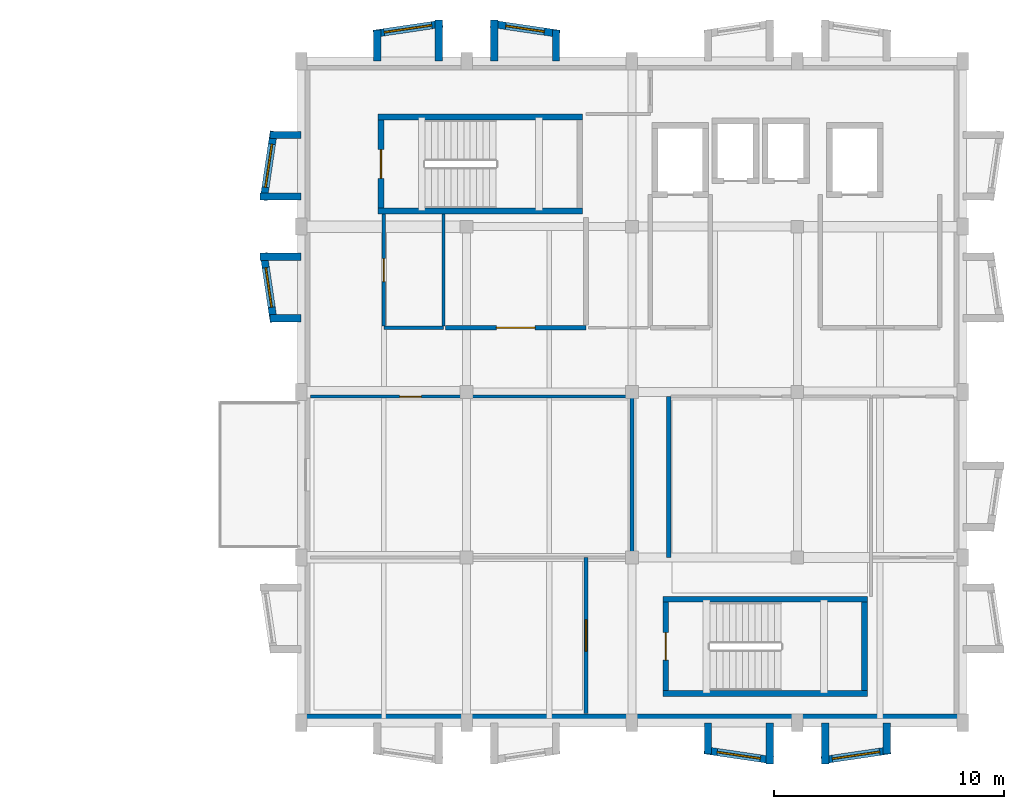
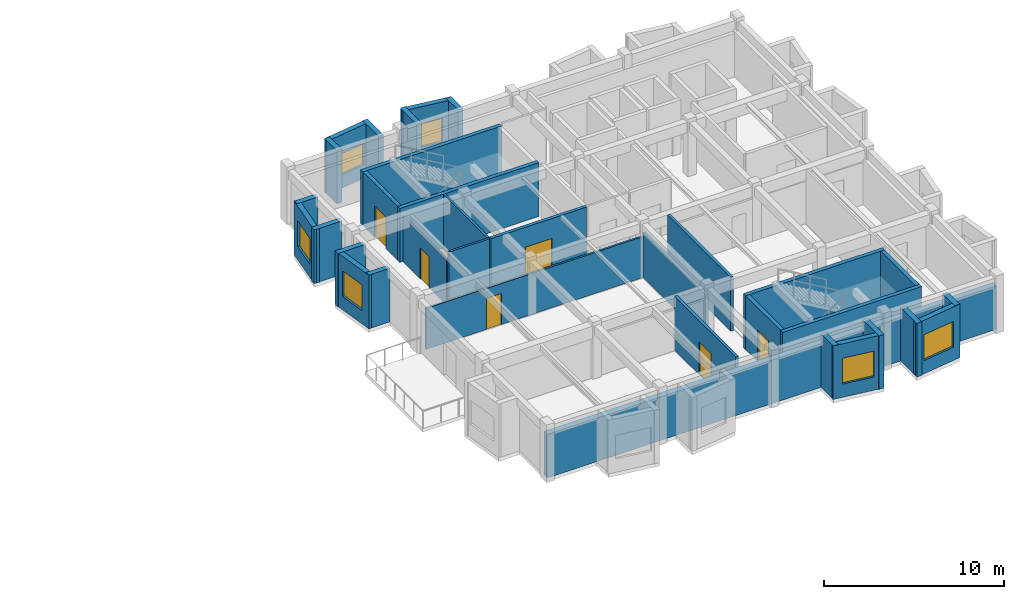
# One storey, part 3 of 7: 34 walls, 6 doors, 6 windows, 12 openings.
"""IFC4 building model written with IfcOpenShell, lengths in metres."""

from ifc_helpers import new_model, si_unit, direction, frame, frame_2d, origin, place, context, subcontext, project, spatial, rectangle, extrude, material, layer, layer_set, type_object, element, fill, save


model = new_model("IFC4")

# Units and contexts
model_context = context("Model", 3, precision=1e-05, world=origin(), true_north=direction((0.0, 1.0)))
body_context = subcontext(model_context, "Body", "Model", "MODEL_VIEW")
ifc_project = project(units=[si_unit("LENGTHUNIT", "METRE"), si_unit("AREAUNIT", "SQUARE_METRE"), si_unit("VOLUMEUNIT", "CUBIC_METRE"), si_unit("PLANEANGLEUNIT", "RADIAN"), si_unit("MASSUNIT", "GRAM", prefix="KILO")], contexts=[model_context])

# Site, building, storey
site_placement = place(None, origin())
site = spatial("IfcSite", under=ifc_project, at=site_placement, CompositionType="ELEMENT")
building_placement = place(site_placement, origin())
building = spatial("IfcBuilding", under=site, at=building_placement, Name="Bramveld Media Centre", CompositionType="ELEMENT")
storey_placement = place(building_placement, frame((0.0, 0.0, 25.800048828125)))
storey = spatial("IfcBuildingStorey", under=building, at=storey_placement, Name="L06", CompositionType="ELEMENT", Elevation=25.800048828125)

# Walls
ifc_material_1 = material(Name="Concrete C40/50 stair & lift core wall", Category="concrete")
ifc_layer_1 = layer(ifc_material_1, 0.25)
ifc_layer_set_1 = layer_set([ifc_layer_1], Name="Concrete C40/50 stair & lift core wall")
wall_type_1 = type_object("IfcWallType", Name="CWALL-SHEAR-250", PredefinedType="SHEAR", material=ifc_layer_set_1)
for number, where, z_axis, x_axis, name in (
    (1, (134.550048828125, 105.47509765625, 0.0), (0.0, 0.0, 1.0), (1.0, 0.0, 0.0), "ST-01 L06 stair core shear wall S"),
    (2, (143.449951171875, 109.574951171875, 0.0), (0.0, 0.0, 1.0), (-1.0, 0.0, 0.0), "ST-01 L06 stair core shear wall N"),
):
    element("IfcWall", number, at=place(storey_placement, frame(where, z_axis=z_axis, x_axis=x_axis)), inside=storey, type_object=wall_type_1, Name=name, PredefinedType="SHEAR", context=body_context, shape_type="SweptSolid", body=[
        extrude(rectangle(XDim=8.89990234375, YDim=0.25, at=frame_2d((4.449951171875, 0.0))), origin(), (0.0, 0.0, 1.0), 3.64990234375),
    ])

# Wall, opening, door
wall_1_placement = place(storey_placement, frame((134.675048828125, 109.449951171875, 0.0), z_axis=(0.0, 0.0, 1.0), x_axis=(0.0, -1.0, 0.0)))
wall_1 = element("IfcWall", 3, at=wall_1_placement, inside=storey, type_object=wall_type_1, Name="ST-01 L06 stair core shear wall W", PredefinedType="SHEAR", context=body_context, shape_type="SweptSolid", body=[
    extrude(rectangle(XDim=3.849853515625, YDim=0.25, at=frame_2d((1.9248046875, 0.0))), origin(), (0.0, 0.0, 1.0), 3.64990234375),
])
opening_1_placement = place(wall_1_placement, frame((1.300048828125, 0.0, 0.0)))
opening_1 = element("IfcOpeningElement", 4, at=opening_1_placement, cuts=wall_1, Name="Opening SD-01-L06", PredefinedType="OPENING", context=body_context, shape_type="SweptSolid", body=[
    extrude(rectangle(XDim=1.25, YDim=2.14990234375, at=frame_2d((0.625, 1.074951171875))), frame((0.0, 0.136962890625, 0.0), z_axis=(0.0, -1.0, 0.0), x_axis=(1.0, 0.0, 0.0)), (0.0, 0.0, 1.0), 0.27392578125),
])
ifc_material_2 = material(Name="Painted galvanized steel acoustic fire door with intumescent smoke seals", Category="steel")
door_type_1 = type_object("IfcDoorType", Name="DR-ST-1250", OperationType="NOTDEFINED", PredefinedType="DOOR", material=ifc_material_2)
door_1_placement = place(opening_1_placement, origin())
door_1 = element("IfcDoor", 5, at=door_1_placement, inside=storey, type_object=door_type_1, Name="ST-01 L06 pressurized stair fire door", OperationType="SINGLE_SWING_LEFT", OverallHeight=2.14990234375, OverallWidth=1.25, PredefinedType="DOOR", context=body_context, shape_type="SweptSolid", body=[
    extrude(rectangle(XDim=1.25, YDim=2.14990234375, at=frame_2d((0.625, 1.074951171875))), frame((0.0, 0.02490234375, 0.0), z_axis=(0.0, -1.0, 0.0), x_axis=(1.0, 0.0, 0.0)), (0.0, 0.0, 1.0), 0.050048828125),
])
fill(opening_1, door_1)

# Walls
for number, where, z_axis, x_axis, name in (
    (6, (146.949951171875, 84.47509765625, 0.0), (0.0, 0.0, 1.0), (1.0, 0.0, 0.0), "ST-02 L06 stair core shear wall S"),
    (7, (155.85009765625, 88.574951171875, 0.0), (0.0, 0.0, 1.0), (-1.0, 0.0, 0.0), "ST-02 L06 stair core shear wall N"),
):
    element("IfcWall", number, at=place(storey_placement, frame(where, z_axis=z_axis, x_axis=x_axis)), inside=storey, type_object=wall_type_1, Name=name, PredefinedType="SHEAR", context=body_context, shape_type="SweptSolid", body=[
        extrude(rectangle(XDim=8.900146484375, YDim=0.25, at=frame_2d((4.4501953125, 0.0))), origin(), (0.0, 0.0, 1.0), 3.64990234375),
    ])

# Wall, opening, door
wall_2_placement = place(storey_placement, frame((147.074951171875, 88.449951171875, 0.0), z_axis=(0.0, 0.0, 1.0), x_axis=(0.0, -1.0, 0.0)))
wall_2 = element("IfcWall", 8, at=wall_2_placement, inside=storey, type_object=wall_type_1, Name="ST-02 L06 stair core shear wall W", PredefinedType="SHEAR", context=body_context, shape_type="SweptSolid", body=[
    extrude(rectangle(XDim=3.849853515625, YDim=0.25, at=frame_2d((1.9248046875, 0.0))), origin(), (0.0, 0.0, 1.0), 3.64990234375),
])
opening_2_placement = place(wall_2_placement, frame((1.324951171875, 0.0, 0.0)))
opening_2 = element("IfcOpeningElement", 9, at=opening_2_placement, cuts=wall_2, Name="Opening SD-02-L06", PredefinedType="OPENING", context=body_context, shape_type="SweptSolid", body=[
    extrude(rectangle(XDim=1.199951171875, YDim=2.14990234375, at=frame_2d((0.60009765625, 1.074951171875))), frame((0.0, 0.136962890625, 0.0), z_axis=(0.0, -1.0, 0.0), x_axis=(1.0, 0.0, 0.0)), (0.0, 0.0, 1.0), 0.27392578125),
])
ifc_material_3 = material(Name="Painted galvanized steel acoustic fire door with intumescent smoke seals", Category="steel")
door_type_2 = type_object("IfcDoorType", Name="DR-ST-1200", OperationType="NOTDEFINED", PredefinedType="DOOR", material=ifc_material_3)
door_2_placement = place(opening_2_placement, origin())
door_2 = element("IfcDoor", 10, at=door_2_placement, inside=storey, type_object=door_type_2, Name="ST-02 L06 pressurized stair fire door", OperationType="SINGLE_SWING_LEFT", OverallHeight=2.14990234375, OverallWidth=1.199951171875, PredefinedType="DOOR", context=body_context, shape_type="SweptSolid", body=[
    extrude(rectangle(XDim=1.199951171875, YDim=2.14990234375, at=frame_2d((0.60009765625, 1.074951171875))), frame((0.0, 0.02490234375, 0.0), z_axis=(0.0, -1.0, 0.0), x_axis=(1.0, 0.0, 0.0)), (0.0, 0.0, 1.0), 0.050048828125),
])
fill(opening_2, door_2)

# Walls
wall_3_placement = place(storey_placement, frame((155.72509765625, 84.60009765625, 0.0), z_axis=(0.0, 0.0, 1.0), x_axis=(0.0, 1.0, 0.0)))
element("IfcWall", 11, at=wall_3_placement, inside=storey, type_object=wall_type_1, Name="ST-02 L06 stair core shear wall E", PredefinedType="SHEAR", context=body_context, shape_type="SweptSolid", body=[
    extrude(rectangle(XDim=3.849853515625, YDim=0.25, at=frame_2d((1.9248046875, 0.0))), origin(), (0.0, 0.0, 1.0), 3.64990234375),
])
ifc_material_4 = material(Name="Flemish red-brown clay facing brick cavity wall with calcium-silicate backing", Category="masonry")
ifc_layer_2 = layer(ifc_material_4, 0.3798828125)
ifc_layer_set_2 = layer_set([ifc_layer_2], Name="Flemish red-brown clay facing brick cavity wall with calcium-silicate backing")
wall_type_2 = type_object("IfcWallType", Name="EW-BRK-380", PredefinedType="SOLIDWALL", material=ifc_layer_set_2)
wall_4_placement = place(storey_placement, frame((160.0, 83.389892578125, 0.0), z_axis=(0.0, 0.0, 1.0), x_axis=(-1.0, 0.0, 0.0)))
element("IfcWall", 12, at=wall_4_placement, inside=storey, type_object=wall_type_2, Name="V7 L06 S facing brick exterior wall", PredefinedType="SOLIDWALL", context=body_context, shape_type="SweptSolid", body=[
    extrude(rectangle(XDim=28.800048828125, YDim=0.3798828125, at=frame_2d((14.39990234375, 0.0))), origin(), (0.0, 0.0, 1.0), 2.945068359375),
])

# Wall, opening, window
ifc_material_5 = material(Name="Precast concrete C40/50 & brick-slip faceted bay cheek wall", Category="masonry")
ifc_layer_3 = layer(ifc_material_5, 0.320068359375)
ifc_layer_set_3 = layer_set([ifc_layer_3], Name="Precast concrete C40/50 & brick-slip faceted bay cheek wall")
wall_type_3 = type_object("IfcWallType", Name="EW-FACET-320", PredefinedType="SOLIDWALL", material=ifc_layer_set_3)
wall_5_placement = place(storey_placement, frame((148.75, 82.010009765625, 0.0), z_axis=(0.0, 0.0, 1.0), x_axis=(0.989266910268, -0.146119746268, 0.0)))
wall_5 = element("IfcWall", 13, at=wall_5_placement, inside=storey, type_object=wall_type_3, Name="V7 L06 S angled faceted bay front wall 3", PredefinedType="SOLIDWALL", context=body_context, shape_type="SweptSolid", body=[
    extrude(rectangle(XDim=3.032470703125, YDim=0.320068359375, at=frame_2d((1.51611328125, 0.0))), origin(), (0.0, 0.0, 1.0), 3.6298828125),
])
opening_3_placement = place(wall_5_placement, frame((0.56640625, 0.0, 0.89990234375)))
opening_3 = element("IfcOpeningElement", 14, at=opening_3_placement, cuts=wall_5, Name="Opening W-34", PredefinedType="OPENING", context=body_context, shape_type="SweptSolid", body=[
    extrude(rectangle(XDim=1.89990234375, YDim=1.75, at=frame_2d((0.949951171875, 0.875))), frame((0.0, 0.171875, 0.0), z_axis=(0.0, -1.0, 0.0), x_axis=(1.0, 0.0, 0.0)), (0.0, 0.0, 1.0), 0.343994140625),
])
ifc_material_6 = material(Name="Thermally broken anodized bronze aluminium frame with triple acoustic glazing", Category="aluminium")
window_type_1 = type_object("IfcWindowType", Name="WIN-FAC-34", PartitioningType="SINGLE_PANEL", PredefinedType="WINDOW", material=ifc_material_6)
window_1_placement = place(opening_3_placement, origin())
window_1 = element("IfcWindow", 15, at=window_1_placement, inside=storey, type_object=window_type_1, Name="V7 L06 S faceted bay window 3", OverallHeight=1.75, OverallWidth=1.89990234375, PartitioningType="SINGLE_PANEL", PredefinedType="WINDOW", context=body_context, shape_type="SweptSolid", body=[
    extrude(rectangle(XDim=1.89990234375, YDim=1.75, at=frame_2d((0.949951171875, 0.875))), frame((0.0, 0.030029296875, 0.0), z_axis=(0.0, -1.0, 0.0), x_axis=(1.0, 0.0, 0.0)), (0.0, 0.0, 1.0), 0.06005859375),
])
fill(opening_3, window_1)

# Walls
wall_6_placement = place(storey_placement, frame((148.909912109375, 83.199951171875, 0.0), z_axis=(0.0, 0.0, 1.0), x_axis=(0.0, -1.0, 0.0)))
element("IfcWall", 16, at=wall_6_placement, inside=storey, type_object=wall_type_3, Name="V7 L06 S faceted bay cheek wall", PredefinedType="SOLIDWALL", context=body_context, shape_type="SweptSolid", body=[
    extrude(rectangle(XDim=1.349853515625, YDim=0.320068359375, at=frame_2d((0.6748046875, 0.0))), origin(), (0.0, 0.0, 1.0), 3.6298828125),
])
wall_7_placement = place(storey_placement, frame((151.590087890625, 83.199951171875, 0.0), z_axis=(0.0, 0.0, 1.0), x_axis=(0.0, -1.0, 0.0)))
element("IfcWall", 17, at=wall_7_placement, inside=storey, type_object=wall_type_3, Name="V7 L06 S faceted bay cheek wall", PredefinedType="SOLIDWALL", context=body_context, shape_type="SweptSolid", body=[
    extrude(rectangle(XDim=1.79296875, YDim=0.320068359375, at=frame_2d((0.896484375, 0.0))), origin(), (0.0, 0.0, 1.0), 3.6298828125),
])

# Wall, opening, window
wall_8_placement = place(storey_placement, frame((153.85009765625, 81.56689453125, 0.0), z_axis=(0.0, 0.0, 1.0), x_axis=(0.989266910268, 0.146119746268, 0.0)))
wall_8 = element("IfcWall", 18, at=wall_8_placement, inside=storey, type_object=wall_type_3, Name="V7 L06 S angled faceted bay front wall 4", PredefinedType="SOLIDWALL", context=body_context, shape_type="SweptSolid", body=[
    extrude(rectangle(XDim=3.032470703125, YDim=0.320068359375, at=frame_2d((1.51611328125, 0.0))), origin(), (0.0, 0.0, 1.0), 3.6298828125),
])
opening_4_placement = place(wall_8_placement, frame((0.476318359375, 0.0, 0.89990234375)))
opening_4 = element("IfcOpeningElement", 19, at=opening_4_placement, cuts=wall_8, Name="Opening W-35", PredefinedType="OPENING", context=body_context, shape_type="SweptSolid", body=[
    extrude(rectangle(XDim=2.080078125, YDim=1.75, at=frame_2d((1.0400390625, 0.875))), frame((0.0, 0.171875, 0.0), z_axis=(0.0, -1.0, 0.0), x_axis=(1.0, 0.0, 0.0)), (0.0, 0.0, 1.0), 0.343994140625),
])
ifc_material_7 = material(Name="Thermally broken anodized bronze aluminium frame with triple acoustic glazing", Category="aluminium")
window_type_2 = type_object("IfcWindowType", Name="WIN-FAC-35", PartitioningType="SINGLE_PANEL", PredefinedType="WINDOW", material=ifc_material_7)
window_2_placement = place(opening_4_placement, origin())
window_2 = element("IfcWindow", 20, at=window_2_placement, inside=storey, type_object=window_type_2, Name="V7 L06 S faceted bay window 4", OverallHeight=1.75, OverallWidth=2.080078125, PartitioningType="SINGLE_PANEL", PredefinedType="WINDOW", context=body_context, shape_type="SweptSolid", body=[
    extrude(rectangle(XDim=2.080078125, YDim=1.75, at=frame_2d((1.0400390625, 0.875))), frame((0.0, 0.030029296875, 0.0), z_axis=(0.0, -1.0, 0.0), x_axis=(1.0, 0.0, 0.0)), (0.0, 0.0, 1.0), 0.06005859375),
])
fill(opening_4, window_2)

# Walls
wall_9_placement = place(storey_placement, frame((154.010009765625, 83.199951171875, 0.0), z_axis=(0.0, 0.0, 1.0), x_axis=(0.0, -1.0, 0.0)))
element("IfcWall", 21, at=wall_9_placement, inside=storey, type_object=wall_type_3, Name="V7 L06 S faceted bay cheek wall", PredefinedType="SOLIDWALL", context=body_context, shape_type="SweptSolid", body=[
    extrude(rectangle(XDim=1.79296875, YDim=0.320068359375, at=frame_2d((0.896484375, 0.0))), origin(), (0.0, 0.0, 1.0), 3.6298828125),
])
wall_10_placement = place(storey_placement, frame((156.68994140625, 83.199951171875, 0.0), z_axis=(0.0, 0.0, 1.0), x_axis=(0.0, -1.0, 0.0)))
element("IfcWall", 22, at=wall_10_placement, inside=storey, type_object=wall_type_3, Name="V7 L06 S faceted bay cheek wall", PredefinedType="SOLIDWALL", context=body_context, shape_type="SweptSolid", body=[
    extrude(rectangle(XDim=1.349853515625, YDim=0.320068359375, at=frame_2d((0.6748046875, 0.0))), origin(), (0.0, 0.0, 1.0), 3.6298828125),
])

# Wall, opening, window
wall_11_placement = place(storey_placement, frame((137.35009765625, 113.633056640625, 0.0), z_axis=(0.0, 0.0, 1.0), x_axis=(-0.989266910268, -0.146119746268, 0.0)))
wall_11 = element("IfcWall", 23, at=wall_11_placement, inside=storey, type_object=wall_type_3, Name="V7 L06 N angled faceted bay front wall 1", PredefinedType="SOLIDWALL", context=body_context, shape_type="SweptSolid", body=[
    extrude(rectangle(XDim=3.032470703125, YDim=0.320068359375, at=frame_2d((1.51611328125, 0.0))), origin(), (0.0, 0.0, 1.0), 3.6298828125),
])
opening_5_placement = place(wall_11_placement, frame((0.46630859375, 0.0, 0.89990234375)))
opening_5 = element("IfcOpeningElement", 24, at=opening_5_placement, cuts=wall_11, Name="Opening W-28", PredefinedType="OPENING", context=body_context, shape_type="SweptSolid", body=[
    extrude(rectangle(XDim=2.10009765625, YDim=1.449951171875, at=frame_2d((1.050048828125, 0.72509765625))), frame((0.0, 0.171875, 0.0), z_axis=(0.0, -1.0, 0.0), x_axis=(1.0, 0.0, 0.0)), (0.0, 0.0, 1.0), 0.343994140625),
])
ifc_material_8 = material(Name="Thermally broken anodized bronze aluminium frame with triple acoustic glazing", Category="aluminium")
window_type_3 = type_object("IfcWindowType", Name="WIN-FAC-28", PartitioningType="SINGLE_PANEL", PredefinedType="WINDOW", material=ifc_material_8)
window_3_placement = place(opening_5_placement, origin())
window_3 = element("IfcWindow", 25, at=window_3_placement, inside=storey, type_object=window_type_3, Name="V7 L06 N faceted bay window 1", OverallHeight=1.449951171875, OverallWidth=2.10009765625, PartitioningType="SINGLE_PANEL", PredefinedType="WINDOW", context=body_context, shape_type="SweptSolid", body=[
    extrude(rectangle(XDim=2.10009765625, YDim=1.449951171875, at=frame_2d((1.050048828125, 0.72509765625))), frame((0.0, 0.030029296875, 0.0), z_axis=(0.0, -1.0, 0.0), x_axis=(1.0, 0.0, 0.0)), (0.0, 0.0, 1.0), 0.06005859375),
])
fill(opening_5, window_3)

# Walls
wall_12_placement = place(storey_placement, frame((134.510009765625, 112.0, 0.0), z_axis=(0.0, 0.0, 1.0), x_axis=(0.0, 1.0, 0.0)))
element("IfcWall", 26, at=wall_12_placement, inside=storey, type_object=wall_type_3, Name="V7 L06 N faceted bay cheek wall", PredefinedType="SOLIDWALL", context=body_context, shape_type="SweptSolid", body=[
    extrude(rectangle(XDim=1.35009765625, YDim=0.320068359375, at=frame_2d((0.675048828125, 0.0))), origin(), (0.0, 0.0, 1.0), 3.6298828125),
])
wall_13_placement = place(storey_placement, frame((137.18994140625, 112.0, 0.0), z_axis=(0.0, 0.0, 1.0), x_axis=(0.0, 1.0, 0.0)))
element("IfcWall", 27, at=wall_13_placement, inside=storey, type_object=wall_type_3, Name="V7 L06 N faceted bay cheek wall", PredefinedType="SOLIDWALL", context=body_context, shape_type="SweptSolid", body=[
    extrude(rectangle(XDim=1.79296875, YDim=0.320068359375, at=frame_2d((0.896484375, 0.0))), origin(), (0.0, 0.0, 1.0), 3.6298828125),
])

# Wall, opening, window
wall_14_placement = place(storey_placement, frame((142.449951171875, 113.18994140625, 0.0), z_axis=(0.0, 0.0, 1.0), x_axis=(-0.989266910268, 0.146119746268, 0.0)))
wall_14 = element("IfcWall", 28, at=wall_14_placement, inside=storey, type_object=wall_type_3, Name="V7 L06 N angled faceted bay front wall 2", PredefinedType="SOLIDWALL", context=body_context, shape_type="SweptSolid", body=[
    extrude(rectangle(XDim=3.032470703125, YDim=0.320068359375, at=frame_2d((1.51611328125, 0.0))), origin(), (0.0, 0.0, 1.0), 3.6298828125),
])
opening_6_placement = place(wall_14_placement, frame((0.666259765625, 0.0, 0.89990234375)))
opening_6 = element("IfcOpeningElement", 29, at=opening_6_placement, cuts=wall_14, Name="Opening W-29", PredefinedType="OPENING", context=body_context, shape_type="SweptSolid", body=[
    extrude(rectangle(XDim=1.699951171875, YDim=1.60009765625, at=frame_2d((0.85009765625, 0.800048828125))), frame((0.0, 0.171875, 0.0), z_axis=(0.0, -1.0, 0.0), x_axis=(1.0, 0.0, 0.0)), (0.0, 0.0, 1.0), 0.343994140625),
])
ifc_material_9 = material(Name="Thermally broken anodized bronze aluminium frame with triple acoustic glazing", Category="aluminium")
window_type_4 = type_object("IfcWindowType", Name="WIN-FAC-29", PartitioningType="SINGLE_PANEL", PredefinedType="WINDOW", material=ifc_material_9)
window_4_placement = place(opening_6_placement, origin())
window_4 = element("IfcWindow", 30, at=window_4_placement, inside=storey, type_object=window_type_4, Name="V7 L06 N faceted bay window 2", OverallHeight=1.60009765625, OverallWidth=1.699951171875, PartitioningType="SINGLE_PANEL", PredefinedType="WINDOW", context=body_context, shape_type="SweptSolid", body=[
    extrude(rectangle(XDim=1.699951171875, YDim=1.60009765625, at=frame_2d((0.85009765625, 0.800048828125))), frame((0.0, 0.030029296875, 0.0), z_axis=(0.0, -1.0, 0.0), x_axis=(1.0, 0.0, 0.0)), (0.0, 0.0, 1.0), 0.06005859375),
])
fill(opening_6, window_4)

# Walls
wall_15_placement = place(storey_placement, frame((139.610107421875, 112.0, 0.0), z_axis=(0.0, 0.0, 1.0), x_axis=(0.0, 1.0, 0.0)))
element("IfcWall", 31, at=wall_15_placement, inside=storey, type_object=wall_type_3, Name="V7 L06 N faceted bay cheek wall", PredefinedType="SOLIDWALL", context=body_context, shape_type="SweptSolid", body=[
    extrude(rectangle(XDim=1.79296875, YDim=0.320068359375, at=frame_2d((0.896484375, 0.0))), origin(), (0.0, 0.0, 1.0), 3.6298828125),
])
wall_16_placement = place(storey_placement, frame((142.2900390625, 112.0, 0.0), z_axis=(0.0, 0.0, 1.0), x_axis=(0.0, 1.0, 0.0)))
element("IfcWall", 32, at=wall_16_placement, inside=storey, type_object=wall_type_3, Name="V7 L06 N faceted bay cheek wall", PredefinedType="SOLIDWALL", context=body_context, shape_type="SweptSolid", body=[
    extrude(rectangle(XDim=1.35009765625, YDim=0.320068359375, at=frame_2d((0.675048828125, 0.0))), origin(), (0.0, 0.0, 1.0), 3.6298828125),
])

# Wall, opening, window
wall_17_placement = place(storey_placement, frame((129.56689453125, 103.64990234375, 0.0), z_axis=(0.0, 0.0, 1.0), x_axis=(0.146119746268, -0.989266910268, 0.0)))
wall_17 = element("IfcWall", 33, at=wall_17_placement, inside=storey, type_object=wall_type_3, Name="V7 L06 W angled faceted bay front wall 3", PredefinedType="SOLIDWALL", context=body_context, shape_type="SweptSolid", body=[
    extrude(rectangle(XDim=3.032470703125, YDim=0.320068359375, at=frame_2d((1.51611328125, 0.0))), origin(), (0.0, 0.0, 1.0), 3.6298828125),
])
opening_7_placement = place(wall_17_placement, frame((0.641357421875, 0.0, 0.89990234375)))
opening_7 = element("IfcOpeningElement", 34, at=opening_7_placement, cuts=wall_17, Name="Opening W-33", PredefinedType="OPENING", context=body_context, shape_type="SweptSolid", body=[
    extrude(rectangle(XDim=1.75, YDim=1.75, at=frame_2d((0.875, 0.875))), frame((0.0, 0.171875, 0.0), z_axis=(0.0, -1.0, 0.0), x_axis=(1.0, 0.0, 0.0)), (0.0, 0.0, 1.0), 0.343994140625),
])
ifc_material_10 = material(Name="Thermally broken anodized bronze aluminium frame with triple acoustic glazing", Category="aluminium")
window_type_5 = type_object("IfcWindowType", Name="WIN-FAC-33", PartitioningType="SINGLE_PANEL", PredefinedType="WINDOW", material=ifc_material_10)
window_5_placement = place(opening_7_placement, origin())
window_5 = element("IfcWindow", 35, at=window_5_placement, inside=storey, type_object=window_type_5, Name="V7 L06 W faceted bay window 3", OverallHeight=1.75, OverallWidth=1.75, PartitioningType="SINGLE_PANEL", PredefinedType="WINDOW", context=body_context, shape_type="SweptSolid", body=[
    extrude(rectangle(XDim=1.75, YDim=1.75, at=frame_2d((0.875, 0.875))), frame((0.0, 0.030029296875, 0.0), z_axis=(0.0, -1.0, 0.0), x_axis=(1.0, 0.0, 0.0)), (0.0, 0.0, 1.0), 0.06005859375),
])
fill(opening_7, window_5)

# Walls
wall_18_placement = place(storey_placement, frame((131.199951171875, 100.81005859375, 0.0), z_axis=(0.0, 0.0, 1.0), x_axis=(-1.0, 0.0, 0.0)))
element("IfcWall", 36, at=wall_18_placement, inside=storey, type_object=wall_type_3, Name="V7 L06 W faceted bay cheek wall", PredefinedType="SOLIDWALL", context=body_context, shape_type="SweptSolid", body=[
    extrude(rectangle(XDim=1.349853515625, YDim=0.320068359375, at=frame_2d((0.6748046875, 0.0))), origin(), (0.0, 0.0, 1.0), 3.6298828125),
])
wall_19_placement = place(storey_placement, frame((131.199951171875, 103.489990234375, 0.0), z_axis=(0.0, 0.0, 1.0), x_axis=(-1.0, 0.0, 0.0)))
element("IfcWall", 37, at=wall_19_placement, inside=storey, type_object=wall_type_3, Name="V7 L06 W faceted bay cheek wall", PredefinedType="SOLIDWALL", context=body_context, shape_type="SweptSolid", body=[
    extrude(rectangle(XDim=1.79296875, YDim=0.320068359375, at=frame_2d((0.896484375, 0.0))), origin(), (0.0, 0.0, 1.0), 3.6298828125),
])

# Wall, opening, window
wall_20_placement = place(storey_placement, frame((130.010009765625, 108.949951171875, 0.0), z_axis=(0.0, 0.0, 1.0), x_axis=(-0.146119746268, -0.989266910268, 0.0)))
wall_20 = element("IfcWall", 38, at=wall_20_placement, inside=storey, type_object=wall_type_3, Name="V7 L06 W angled faceted bay front wall 4", PredefinedType="SOLIDWALL", context=body_context, shape_type="SweptSolid", body=[
    extrude(rectangle(XDim=3.032470703125, YDim=0.320068359375, at=frame_2d((1.51611328125, 0.0))), origin(), (0.0, 0.0, 1.0), 3.6298828125),
])
opening_8_placement = place(wall_20_placement, frame((0.56640625, 0.0, 0.89990234375)))
opening_8 = element("IfcOpeningElement", 39, at=opening_8_placement, cuts=wall_20, Name="Opening W-34", PredefinedType="OPENING", context=body_context, shape_type="SweptSolid", body=[
    extrude(rectangle(XDim=1.89990234375, YDim=1.75, at=frame_2d((0.949951171875, 0.875))), frame((0.0, 0.171875, 0.0), z_axis=(0.0, -1.0, 0.0), x_axis=(1.0, 0.0, 0.0)), (0.0, 0.0, 1.0), 0.343994140625),
])
window_6_placement = place(opening_8_placement, origin())
window_6 = element("IfcWindow", 40, at=window_6_placement, inside=storey, type_object=window_type_1, Name="V7 L06 W faceted bay window 4", OverallHeight=1.75, OverallWidth=1.89990234375, PartitioningType="SINGLE_PANEL", PredefinedType="WINDOW", context=body_context, shape_type="SweptSolid", body=[
    extrude(rectangle(XDim=1.89990234375, YDim=1.75, at=frame_2d((0.949951171875, 0.875))), frame((0.0, 0.030029296875, 0.0), z_axis=(0.0, -1.0, 0.0), x_axis=(1.0, 0.0, 0.0)), (0.0, 0.0, 1.0), 0.06005859375),
])
fill(opening_8, window_6)

# Walls
wall_21_placement = place(storey_placement, frame((131.199951171875, 106.110107421875, 0.0), z_axis=(0.0, 0.0, 1.0), x_axis=(-1.0, 0.0, 0.0)))
element("IfcWall", 41, at=wall_21_placement, inside=storey, type_object=wall_type_3, Name="V7 L06 W faceted bay cheek wall", PredefinedType="SOLIDWALL", context=body_context, shape_type="SweptSolid", body=[
    extrude(rectangle(XDim=1.79296875, YDim=0.320068359375, at=frame_2d((0.896484375, 0.0))), origin(), (0.0, 0.0, 1.0), 3.6298828125),
])
wall_22_placement = place(storey_placement, frame((131.199951171875, 108.7900390625, 0.0), z_axis=(0.0, 0.0, 1.0), x_axis=(-1.0, 0.0, 0.0)))
element("IfcWall", 42, at=wall_22_placement, inside=storey, type_object=wall_type_3, Name="V7 L06 W faceted bay cheek wall", PredefinedType="SOLIDWALL", context=body_context, shape_type="SweptSolid", body=[
    extrude(rectangle(XDim=1.349853515625, YDim=0.320068359375, at=frame_2d((0.6748046875, 0.0))), origin(), (0.0, 0.0, 1.0), 3.6298828125),
])

# Wall, opening, door
ifc_material_11 = material(Name="Acoustic calcium-silicate & mineral-wool compartment partition", Category="masonry")
ifc_layer_4 = layer(ifc_material_11, 0.199951171875)
ifc_layer_set_4 = layer_set([ifc_layer_4], Name="Acoustic calcium-silicate & mineral-wool compartment partition")
wall_type_4 = type_object("IfcWallType", Name="IW-ACOU-200", PredefinedType="PARTITIONING", material=ifc_layer_set_4)
wall_23_placement = place(storey_placement, frame((137.47998046875, 100.39990234375, 0.0), z_axis=(0.0, 0.0, 1.0), x_axis=(1.0, 0.0, 0.0)))
wall_23 = element("IfcWall", 43, at=wall_23_placement, inside=storey, type_object=wall_type_4, Name="Radio Documentary Editing Suite partition wall", PredefinedType="PARTITIONING", context=body_context, shape_type="SweptSolid", body=[
    extrude(rectangle(XDim=6.1201171875, YDim=0.199951171875, at=frame_2d((3.06005859375, 0.0))), origin(), (0.0, 0.0, 1.0), 3.64990234375),
])
opening_9_placement = place(wall_23_placement, frame((2.219970703125, 0.0, 0.0)))
opening_9 = element("IfcOpeningElement", 44, at=opening_9_placement, cuts=wall_23, Name="Opening D-06-212", PredefinedType="OPENING", context=body_context, shape_type="SweptSolid", body=[
    extrude(rectangle(XDim=1.679931640625, YDim=2.300048828125, at=frame_2d((0.83984375, 1.14990234375))), frame((0.0, 0.11181640625, 0.0), z_axis=(0.0, -1.0, 0.0), x_axis=(1.0, 0.0, 0.0)), (0.0, 0.0, 1.0), 0.223876953125),
])
ifc_material_12 = material(Name="Fire-rated acoustic timber & steel composite door", Category="steel")
door_type_3 = type_object("IfcDoorType", Name="DR-HALL-1680", OperationType="NOTDEFINED", PredefinedType="DOOR", material=ifc_material_12)
door_3_placement = place(opening_9_placement, origin())
door_3 = element("IfcDoor", 45, at=door_3_placement, inside=storey, type_object=door_type_3, Name="Radio Documentary Editing Suite entrance door", OperationType="DOUBLE_DOOR_SINGLE_SWING", OverallHeight=2.300048828125, OverallWidth=1.679931640625, PredefinedType="DOOR", context=body_context, shape_type="SweptSolid", body=[
    extrude(rectangle(XDim=1.679931640625, YDim=2.300048828125, at=frame_2d((0.83984375, 1.14990234375))), frame((0.0, 0.02490234375, 0.0), z_axis=(0.0, -1.0, 0.0), x_axis=(1.0, 0.0, 0.0)), (0.0, 0.0, 1.0), 0.050048828125),
])
fill(opening_9, door_3)

ifc_material_13 = material(Name="Fire-rated twin-frame gypsum corridor wall", Category="gypsum")
ifc_layer_5 = layer(ifc_material_13, 0.179931640625)
ifc_layer_set_5 = layer_set([ifc_layer_5], Name="Fire-rated twin-frame gypsum corridor wall")
wall_type_5 = type_object("IfcWallType", Name="IW-FIRE-180", PredefinedType="PARTITIONING", material=ifc_layer_set_5)
wall_24_placement = place(storey_placement, frame((143.60009765625, 83.60009765625, 0.0), z_axis=(0.0, 0.0, 1.0), x_axis=(0.0, 1.0, 0.0)))
wall_24 = element("IfcWall", 46, at=wall_24_placement, inside=storey, type_object=wall_type_5, Name="Stair ST-02 L06 Landing Lobby partition wall", PredefinedType="PARTITIONING", context=body_context, shape_type="SweptSolid", body=[
    extrude(rectangle(XDim=6.7998046875, YDim=0.179931640625, at=frame_2d((3.39990234375, 0.0))), origin(), (0.0, 0.0, 1.0), 3.64990234375),
])
opening_10_placement = place(wall_24_placement, frame((2.719970703125, 0.0, 0.0)))
opening_10 = element("IfcOpeningElement", 47, at=opening_10_placement, cuts=wall_24, Name="Opening D-06-209", PredefinedType="OPENING", context=body_context, shape_type="SweptSolid", body=[
    extrude(rectangle(XDim=1.360107421875, YDim=2.199951171875, at=frame_2d((0.68017578125, 1.10009765625))), frame((0.0, 0.10205078125, 0.0), z_axis=(0.0, -1.0, 0.0), x_axis=(1.0, 0.0, 0.0)), (0.0, 0.0, 1.0), 0.203857421875),
])
ifc_material_14 = material(Name="Fire-rated acoustic timber & steel composite door", Category="steel")
door_type_4 = type_object("IfcDoorType", Name="DR-VAULT-1360", OperationType="NOTDEFINED", PredefinedType="DOOR", material=ifc_material_14)
door_4_placement = place(opening_10_placement, origin())
door_4 = element("IfcDoor", 48, at=door_4_placement, inside=storey, type_object=door_type_4, Name="Broadcast Archives Digitisation Lab entrance door", OperationType="SINGLE_SWING_LEFT", OverallHeight=2.199951171875, OverallWidth=1.360107421875, PredefinedType="DOOR", context=body_context, shape_type="SweptSolid", body=[
    extrude(rectangle(XDim=1.360107421875, YDim=2.199951171875, at=frame_2d((0.68017578125, 1.10009765625))), frame((0.0, 0.02490234375, 0.0), z_axis=(0.0, -1.0, 0.0), x_axis=(1.0, 0.0, 0.0)), (0.0, 0.0, 1.0), 0.050048828125),
])
fill(opening_10, door_4)

# Walls
wall_25_placement = place(storey_placement, frame((145.60009765625, 90.39990234375, 0.0), z_axis=(0.0, 0.0, 1.0), x_axis=(0.0, 1.0, 0.0)))
element("IfcWall", 49, at=wall_25_placement, inside=storey, type_object=wall_type_5, Name="Stair ST-02 L06 Link Corridor partition wall", PredefinedType="PARTITIONING", context=body_context, shape_type="SweptSolid", body=[
    extrude(rectangle(XDim=7.0, YDim=0.179931640625, at=frame_2d((3.5, 0.0))), origin(), (0.0, 0.0, 1.0), 3.02490234375),
])
wall_26_placement = place(storey_placement, frame((147.199951171875, 90.39990234375, 0.0), z_axis=(0.0, 0.0, 1.0), x_axis=(0.0, 1.0, 0.0)))
element("IfcWall", 50, at=wall_26_placement, inside=storey, type_object=wall_type_5, Name="Stair ST-02 L06 Link Corridor partition wall", PredefinedType="PARTITIONING", context=body_context, shape_type="SweptSolid", body=[
    extrude(rectangle(XDim=7.0, YDim=0.179931640625, at=frame_2d((3.5, 0.0))), origin(), (0.0, 0.0, 1.0), 3.64990234375),
])

# Wall, opening, door
ifc_material_15 = material(Name="Lightweight acoustic stud partition", Category="gypsum")
ifc_layer_6 = layer(ifc_material_15, 0.125)
ifc_layer_set_6 = layer_set([ifc_layer_6], Name="Lightweight acoustic stud partition")
wall_type_6 = type_object("IfcWallType", Name="IW-PART-125", PredefinedType="PARTITIONING", material=ifc_layer_set_6)
wall_27_placement = place(storey_placement, frame((131.60009765625, 97.39990234375, 0.0), z_axis=(0.0, 0.0, 1.0), x_axis=(1.0, 0.0, 0.0)))
wall_27 = element("IfcWall", 51, at=wall_27_placement, inside=storey, type_object=wall_type_6, Name="Courtyard Balcony Broadcast Studio partition wall", PredefinedType="PARTITIONING", context=body_context, shape_type="SweptSolid", body=[
    extrude(rectangle(XDim=13.89990234375, YDim=0.125, at=frame_2d((6.949951171875, 0.0))), origin(), (0.0, 0.0, 1.0), 2.77490234375),
])
opening_11_placement = place(wall_27_placement, frame((3.887939453125, 0.0, 0.0)))
opening_11 = element("IfcOpeningElement", 52, at=opening_11_placement, cuts=wall_27, Name="Opening D-06-207", PredefinedType="OPENING", context=body_context, shape_type="SweptSolid", body=[
    extrude(rectangle(XDim=0.93994140625, YDim=2.10009765625, at=frame_2d((0.469970703125, 1.050048828125))), frame((0.0, 0.074462890625, 0.0), z_axis=(0.0, -1.0, 0.0), x_axis=(1.0, 0.0, 0.0)), (0.0, 0.0, 1.0), 0.14892578125),
])
ifc_material_16 = material(Name="Solid-core European oak acoustic timber leaf in steel frame", Category="steel")
door_type_5 = type_object("IfcDoorType", Name="DR-RM-0940", OperationType="NOTDEFINED", PredefinedType="DOOR", material=ifc_material_16)
door_5_placement = place(opening_11_placement, origin())
door_5 = element("IfcDoor", 53, at=door_5_placement, inside=storey, type_object=door_type_5, Name="Courtyard Balcony Broadcast Studio entrance door", OperationType="SINGLE_SWING_LEFT", OverallHeight=2.10009765625, OverallWidth=0.93994140625, PredefinedType="DOOR", context=body_context, shape_type="SweptSolid", body=[
    extrude(rectangle(XDim=0.93994140625, YDim=2.10009765625, at=frame_2d((0.469970703125, 1.050048828125))), frame((0.0, 0.02490234375, 0.0), z_axis=(0.0, -1.0, 0.0), x_axis=(1.0, 0.0, 0.0)), (0.0, 0.0, 1.0), 0.050048828125),
])
fill(opening_11, door_5)

# Wall
ifc_material_17 = material(Name="Moisture-resistant cement-board sanitary partition", Category="gypsum")
ifc_layer_7 = layer(ifc_material_17, 0.139892578125)
ifc_layer_set_7 = layer_set([ifc_layer_7], Name="Moisture-resistant cement-board sanitary partition")
wall_type_7 = type_object("IfcWallType", Name="IW-WET-140", PredefinedType="PARTITIONING", material=ifc_layer_set_7)
wall_28_placement = place(storey_placement, frame((134.800048828125, 100.39990234375, 0.0), z_axis=(0.0, 0.0, 1.0), x_axis=(1.0, 0.0, 0.0)))
element("IfcWall", 54, at=wall_28_placement, inside=storey, type_object=wall_type_7, Name="Accessible WC partition wall", PredefinedType="PARTITIONING", context=body_context, shape_type="SweptSolid", body=[
    extrude(rectangle(XDim=2.599853515625, YDim=0.139892578125, at=frame_2d((1.2998046875, 0.0))), origin(), (0.0, 0.0, 1.0), 3.64990234375),
])

# Wall, opening, door
wall_29_placement = place(storey_placement, frame((134.800048828125, 100.47998046875, 0.0), z_axis=(0.0, 0.0, 1.0), x_axis=(0.0, 1.0, 0.0)))
wall_29 = element("IfcWall", 55, at=wall_29_placement, inside=storey, type_object=wall_type_7, Name="Accessible WC partition wall", PredefinedType="PARTITIONING", context=body_context, shape_type="SweptSolid", body=[
    extrude(rectangle(XDim=4.860107421875, YDim=0.139892578125, at=frame_2d((2.43017578125, 0.0))), origin(), (0.0, 0.0, 1.0), 3.074951171875),
])
opening_12_placement = place(wall_29_placement, frame((1.929931640625, 0.0, 0.0)))
opening_12 = element("IfcOpeningElement", 56, at=opening_12_placement, cuts=wall_29, Name="Opening D-06-206", PredefinedType="OPENING", context=body_context, shape_type="SweptSolid", body=[
    extrude(rectangle(XDim=1.0, YDim=2.10009765625, at=frame_2d((0.5, 1.050048828125))), frame((0.0, 0.08203125, 0.0), z_axis=(0.0, -1.0, 0.0), x_axis=(1.0, 0.0, 0.0)), (0.0, 0.0, 1.0), 0.163818359375),
])
ifc_material_18 = material(Name="Solid-core European oak acoustic timber leaf in steel frame", Category="steel")
door_type_6 = type_object("IfcDoorType", Name="DR-WC-PMR-1000", OperationType="NOTDEFINED", PredefinedType="DOOR", material=ifc_material_18)
door_6_placement = place(opening_12_placement, origin())
door_6 = element("IfcDoor", 57, at=door_6_placement, inside=storey, type_object=door_type_6, Name="Accessible WC entrance door", OperationType="SINGLE_SWING_RIGHT", OverallHeight=2.10009765625, OverallWidth=1.0, PredefinedType="DOOR", context=body_context, shape_type="SweptSolid", body=[
    extrude(rectangle(XDim=1.0, YDim=2.10009765625, at=frame_2d((0.5, 1.050048828125))), frame((0.0, 0.02490234375, 0.0), z_axis=(0.0, -1.0, 0.0), x_axis=(1.0, 0.0, 0.0)), (0.0, 0.0, 1.0), 0.050048828125),
])
fill(opening_12, door_6)

# Wall
wall_30_placement = place(storey_placement, frame((137.39990234375, 100.47998046875, 0.0), z_axis=(0.0, 0.0, 1.0), x_axis=(0.0, 1.0, 0.0)))
element("IfcWall", 58, at=wall_30_placement, inside=storey, type_object=wall_type_7, Name="Accessible WC partition wall", PredefinedType="PARTITIONING", context=body_context, shape_type="SweptSolid", body=[
    extrude(rectangle(XDim=4.860107421875, YDim=0.139892578125, at=frame_2d((2.43017578125, 0.0))), origin(), (0.0, 0.0, 1.0), 3.64990234375),
])

save(model, "model.ifc")
